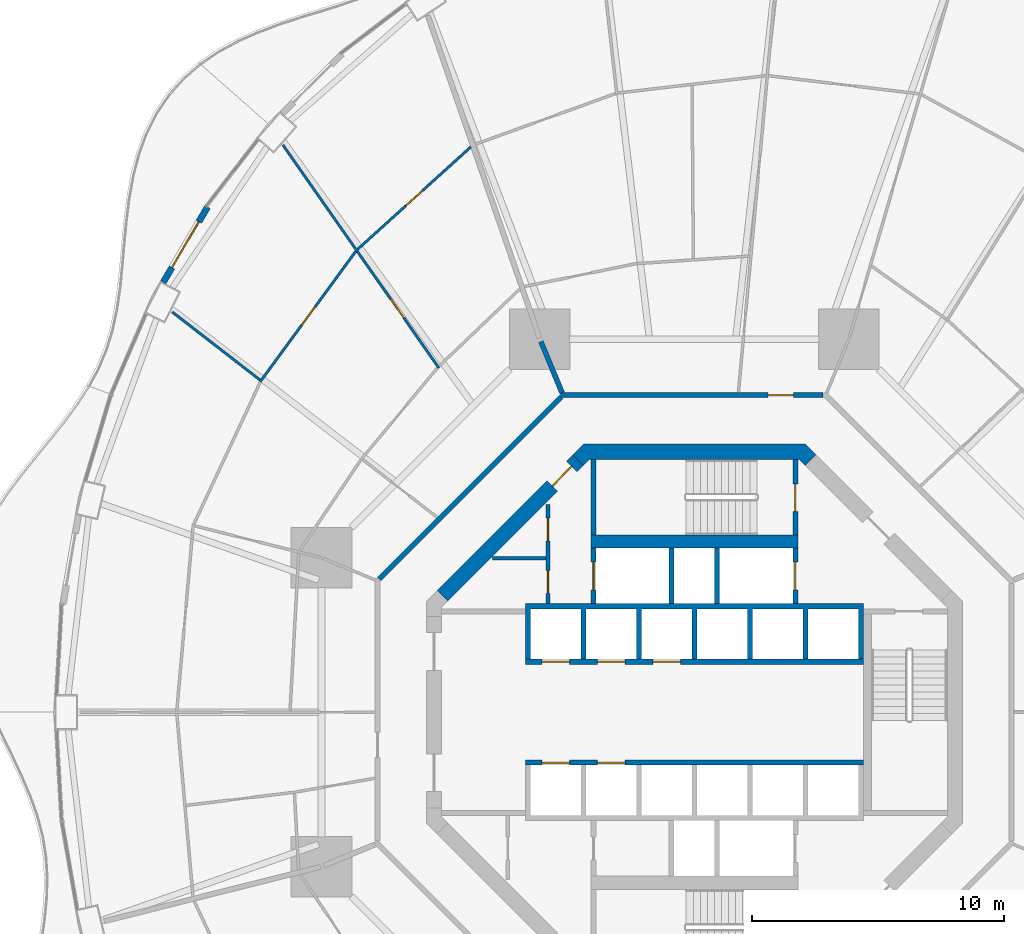
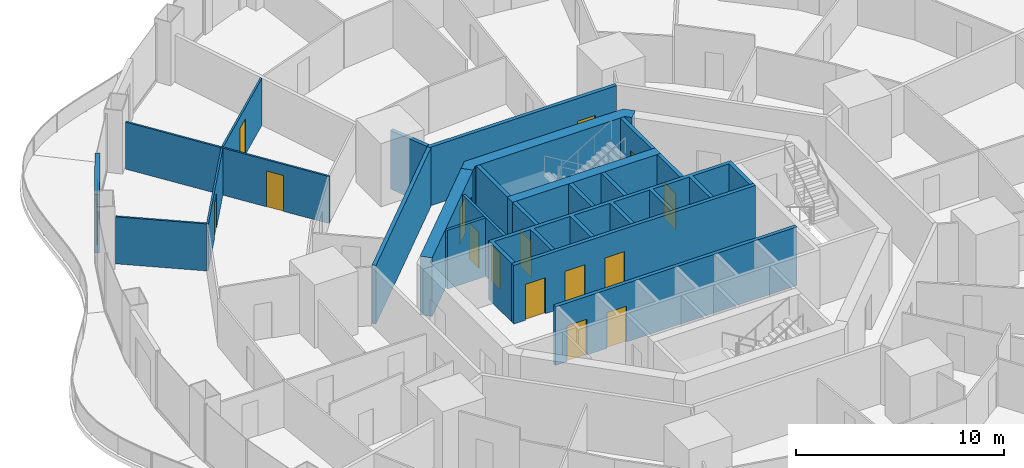
# One storey, part 16 of 21: 22 walls, 16 doors, 16 openings.
"""IFC4 building model written with IfcOpenShell, lengths in metres."""

from ifc_helpers import new_model, si_unit, direction, frame, frame_2d, origin, place, context, subcontext, project, spatial, polyline, rectangle, outline, extrude, material, layer, layer_set, type_object, element, fill, save


model = new_model("IFC4")

# Units and contexts
model_context = context("Model", 3, precision=1e-05, world=origin(), true_north=direction((0.0, 1.0)))
body_context = subcontext(model_context, "Body", "Model", "MODEL_VIEW")
ifc_project = project(units=[si_unit("LENGTHUNIT", "METRE"), si_unit("AREAUNIT", "SQUARE_METRE"), si_unit("VOLUMEUNIT", "CUBIC_METRE"), si_unit("PLANEANGLEUNIT", "RADIAN"), si_unit("MASSUNIT", "GRAM", prefix="KILO")], contexts=[model_context])

# Site, building, storey
site_placement = place(None, origin())
site = spatial("IfcSite", under=ifc_project, at=site_placement, CompositionType="ELEMENT")
building_placement = place(site_placement, origin())
building = spatial("IfcBuilding", under=site, at=building_placement, Name="Nagisa Residences", CompositionType="ELEMENT")
storey_placement = place(building_placement, frame((0.0, 0.0, 60.300048828125)))
storey = spatial("IfcBuildingStorey", under=building, at=storey_placement, Name="L14", CompositionType="ELEMENT", Elevation=60.300048828125)

# Wall
ifc_material_1 = material(Name="Gypsum board on steel studs", Category="steel")
ifc_layer_1 = layer(ifc_material_1, 0.199951171875)
ifc_layer_set_1 = layer_set([ifc_layer_1], Name="Apartment compartment wall EI60 200")
wall_type_1 = type_object("IfcWallType", Name="Apartment compartment wall EI60 200", PredefinedType="PARTITIONING", material=ifc_layer_set_1)
wall_1_placement = place(storey_placement, frame((-5.24267578125, 12.6572265625, 0.0), z_axis=(0.0, 0.0, 1.0), x_axis=(-0.382668627144, 0.923885664896, 0.0)))
element("IfcWall", 1, at=wall_1_placement, inside=storey, type_object=wall_type_1, Name="wall:L14:u02", PredefinedType="PARTITIONING", context=body_context, shape_type="SweptSolid", body=[
    extrude(rectangle(XDim=2.200439453125, YDim=0.199951171875, at=frame_2d((1.10009765625, 0.0))), origin(), (0.0, 0.0, 1.0), 3.43994140625),
])

# Wall, opening, door
ifc_material_2 = material(Name="Gypsum board on steel studs", Category="steel")
ifc_layer_2 = layer(ifc_material_2, 0.199951171875)
ifc_layer_set_2 = layer_set([ifc_layer_2], Name="Apartment entry wall EI60 200")
wall_type_2 = type_object("IfcWallType", Name="Apartment entry wall EI60 200", PredefinedType="PARTITIONING", material=ifc_layer_set_2)
wall_2_placement = place(storey_placement, frame((5.1044921875, 12.564697265625, 0.0), z_axis=(0.0, 0.0, 1.0), x_axis=(-1.0, 0.0, 0.0)))
wall_2 = element("IfcWall", 2, at=wall_2_placement, inside=storey, type_object=wall_type_2, Name="wall:L14:u08", PredefinedType="PARTITIONING", context=body_context, shape_type="SweptSolid", body=[
    extrude(rectangle(XDim=10.408935546875, YDim=0.199951171875, at=frame_2d((5.20458984375, 0.0))), origin(), (0.0, 0.0, 1.0), 3.43994140625),
])
opening_1_placement = place(wall_2_placement, frame((1.184814453125, 0.0, 0.0)))
opening_1 = element("IfcOpeningElement", 3, at=opening_1_placement, cuts=wall_2, Name="Opening L14-U27", PredefinedType="OPENING", context=body_context, shape_type="SweptSolid", body=[
    extrude(rectangle(XDim=1.0, YDim=2.10009765625, at=frame_2d((0.5, 1.050048828125))), frame((0.0, 0.10986328125, 0.0), z_axis=(0.0, -1.0, 0.0), x_axis=(1.0, 0.0, 0.0)), (0.0, 0.0, 1.0), 0.219970703125),
])
ifc_material_3 = material(Name="Timber fire door set", Category="wood")
door_type_1 = type_object("IfcDoorType", Name="Apartment entry door FD30S 1000x2100", OperationType="NOTDEFINED", PredefinedType="DOOR", material=ifc_material_3)
door_1_placement = place(opening_1_placement, frame((1.0, 0.0, 0.0), x_axis=(-1.0, 0.0, 0.0)))
door_1 = element("IfcDoor", 4, at=door_1_placement, inside=storey, type_object=door_type_1, Name="Entry door, Apartment 14B", OperationType="SINGLE_SWING_RIGHT", OverallHeight=2.10009765625, OverallWidth=1.0, PredefinedType="DOOR", context=body_context, shape_type="SweptSolid", body=[
    extrude(rectangle(XDim=1.0, YDim=2.10009765625, at=frame_2d((0.5, 1.050048828125))), frame((0.0, 0.02490234375, 0.0), z_axis=(0.0, -1.0, 0.0), x_axis=(1.0, 0.0, 0.0)), (0.0, 0.0, 1.0), 0.050048828125),
])
fill(opening_1, door_1)

# Wall
wall_3_placement = place(storey_placement, frame((-5.275146484375, 12.494140625, 0.0), z_axis=(0.0, 0.0, 1.0), x_axis=(-0.707106781187, -0.707106781187, 0.0)))
element("IfcWall", 5, at=wall_3_placement, inside=storey, type_object=wall_type_2, Name="wall:L14:u09", PredefinedType="PARTITIONING", context=body_context, shape_type="SweptSolid", body=[
    extrude(rectangle(XDim=10.209228515625, YDim=0.199951171875, at=frame_2d((5.1044921875, 0.0))), origin(), (0.0, 0.0, 1.0), 3.43994140625),
])

# Wall, opening, door
ifc_material_4 = material(Name="Gypsum board on steel studs", Category="steel")
ifc_layer_3 = layer(ifc_material_4, 0.10009765625)
ifc_layer_set_3 = layer_set([ifc_layer_3], Name="Apartment partition 100")
wall_type_3 = type_object("IfcWallType", Name="Apartment partition 100", PredefinedType="PARTITIONING", material=ifc_layer_set_3)
wall_4_placement = place(storey_placement, frame((-8.860595703125, 22.4072265625, 0.0), z_axis=(0.0, 0.0, 1.0), x_axis=(-0.741713303551, -0.670717060567, 0.0)))
wall_4 = element("IfcWall", 6, at=wall_4_placement, inside=storey, type_object=wall_type_3, Name="wall:L14:u42", PredefinedType="PARTITIONING", context=body_context, shape_type="SweptSolid", body=[
    extrude(rectangle(XDim=6.05908203125, YDim=0.10009765625, at=frame_2d((3.029541015625, 0.0))), origin(), (0.0, 0.0, 1.0), 2.755859375),
])
opening_2_placement = place(wall_4_placement, frame((2.57958984375, 0.0, 0.0)))
opening_2 = element("IfcOpeningElement", 7, at=opening_2_placement, cuts=wall_4, Name="Opening L14-U54", PredefinedType="OPENING", context=body_context, shape_type="SweptSolid", body=[
    extrude(rectangle(XDim=0.89990234375, YDim=2.10009765625, at=frame_2d((0.449951171875, 1.050048828125))), frame((0.0, 0.06005859375, 0.0), z_axis=(0.0, -1.0, 0.0), x_axis=(1.0, 0.0, 0.0)), (0.0, 0.0, 1.0), 0.1201171875),
])
ifc_material_5 = material(Name="Timber door set", Category="wood")
door_type_2 = type_object("IfcDoorType", Name="Apartment door 900x2100", OperationType="NOTDEFINED", PredefinedType="DOOR", material=ifc_material_5)
door_2_placement = place(opening_2_placement, frame((0.89990234375, 0.0, 0.0), x_axis=(-1.0, 0.0, 0.0)))
door_2 = element("IfcDoor", 8, at=door_2_placement, inside=storey, type_object=door_type_2, Name="Door to living room, Apartment 14C", OperationType="SINGLE_SWING_LEFT", OverallHeight=2.10009765625, OverallWidth=0.89990234375, PredefinedType="DOOR", context=body_context, shape_type="SweptSolid", body=[
    extrude(rectangle(XDim=0.89990234375, YDim=2.10009765625, at=frame_2d((0.449951171875, 1.050048828125))), frame((0.0, 0.02490234375, 0.0), z_axis=(0.0, -1.0, 0.0), x_axis=(1.0, 0.0, 0.0)), (0.0, 0.0, 1.0), 0.050048828125),
])
fill(opening_2, door_2)

wall_5_placement = place(storey_placement, frame((-10.126220703125, 13.640625, 0.0), z_axis=(0.0, 0.0, 1.0), x_axis=(-0.57313289907, 0.819462433552, 0.0)))
wall_5 = element("IfcWall", 9, at=wall_5_placement, inside=storey, type_object=wall_type_3, Name="wall:L14:u43", PredefinedType="PARTITIONING", context=body_context, shape_type="SweptSolid", body=[
    extrude(rectangle(XDim=10.794189453125, YDim=0.10009765625, at=frame_2d((5.39697265625, 0.0))), origin(), (0.0, 0.0, 1.0), 2.755859375),
])
opening_3_placement = place(wall_5_placement, frame((2.423828125, 0.0, 0.0)))
opening_3 = element("IfcOpeningElement", 10, at=opening_3_placement, cuts=wall_5, Name="Opening L14-U53", PredefinedType="OPENING", context=body_context, shape_type="SweptSolid", body=[
    extrude(rectangle(XDim=0.89990234375, YDim=2.10009765625, at=frame_2d((0.449951171875, 1.050048828125))), frame((0.0, 0.06005859375, 0.0), z_axis=(0.0, -1.0, 0.0), x_axis=(1.0, 0.0, 0.0)), (0.0, 0.0, 1.0), 0.1201171875),
])
door_3_placement = place(opening_3_placement, frame((0.89990234375, 0.0, 0.0), x_axis=(-1.0, 0.0, 0.0)))
door_3 = element("IfcDoor", 11, at=door_3_placement, inside=storey, type_object=door_type_2, Name="Door to kitchen, Apartment 14C", OperationType="SINGLE_SWING_RIGHT", OverallHeight=2.10009765625, OverallWidth=0.89990234375, PredefinedType="DOOR", context=body_context, shape_type="SweptSolid", body=[
    extrude(rectangle(XDim=0.89990234375, YDim=2.10009765625, at=frame_2d((0.449951171875, 1.050048828125))), frame((0.0, 0.02490234375, 0.0), z_axis=(0.0, -1.0, 0.0), x_axis=(1.0, 0.0, 0.0)), (0.0, 0.0, 1.0), 0.050048828125),
])
fill(opening_3, door_3)

wall_6_placement = place(storey_placement, frame((-13.42138671875, 18.269287109375, 0.0), z_axis=(0.0, 0.0, 1.0), x_axis=(-0.591206785834, -0.806520016109, 0.0)))
wall_6 = element("IfcWall", 12, at=wall_6_placement, inside=storey, type_object=wall_type_3, Name="wall:L14:u45", PredefinedType="PARTITIONING", context=body_context, shape_type="SweptSolid", body=[
    extrude(rectangle(XDim=6.409912109375, YDim=0.10009765625, at=frame_2d((3.205078125, 0.0))), origin(), (0.0, 0.0, 1.0), 2.755859375),
])
opening_4_placement = place(wall_6_placement, frame((2.72998046875, 0.0, 0.0)))
opening_4 = element("IfcOpeningElement", 13, at=opening_4_placement, cuts=wall_6, Name="Opening L14-U50", PredefinedType="OPENING", context=body_context, shape_type="SweptSolid", body=[
    extrude(rectangle(XDim=0.89990234375, YDim=2.10009765625, at=frame_2d((0.449951171875, 1.050048828125))), frame((0.0, 0.06005859375, 0.0), z_axis=(0.0, -1.0, 0.0), x_axis=(1.0, 0.0, 0.0)), (0.0, 0.0, 1.0), 0.1201171875),
])
door_4_placement = place(opening_4_placement, frame((0.89990234375, 0.0, 0.0), x_axis=(-1.0, 0.0, 0.0)))
door_4 = element("IfcDoor", 14, at=door_4_placement, inside=storey, type_object=door_type_2, Name="Door to master bedroom, Apartment 14C", OperationType="SINGLE_SWING_LEFT", OverallHeight=2.10009765625, OverallWidth=0.89990234375, PredefinedType="DOOR", context=body_context, shape_type="SweptSolid", body=[
    extrude(rectangle(XDim=0.89990234375, YDim=2.10009765625, at=frame_2d((0.449951171875, 1.050048828125))), frame((0.0, 0.02490234375, 0.0), z_axis=(0.0, -1.0, 0.0), x_axis=(1.0, 0.0, 0.0)), (0.0, 0.0, 1.0), 0.050048828125),
])
fill(opening_4, door_4)

# Wall
wall_7_placement = place(storey_placement, frame((-17.220947265625, 13.170654296875, 0.0), z_axis=(0.0, 0.0, 1.0), x_axis=(-0.790258254068, 0.612773932113, 0.0)))
element("IfcWall", 15, at=wall_7_placement, inside=storey, type_object=wall_type_3, Name="wall:L14:u48", PredefinedType="PARTITIONING", context=body_context, shape_type="SweptSolid", body=[
    extrude(rectangle(XDim=4.39208984375, YDim=0.10009765625, at=frame_2d((2.196044921875, 0.0))), origin(), (0.0, 0.0, 1.0), 2.755859375),
])

# Wall, opening, door
ifc_material_6 = material(Name="Precast concrete C40/50", Category="concrete")
ifc_layer_4 = layer(ifc_material_6, 0.25)
ifc_layer_set_4 = layer_set([ifc_layer_4], Name="BALCONY DOOR WALL 250")
wall_type_4 = type_object("IfcWallType", Name="BALCONY DOOR WALL 250", PredefinedType="SOLIDWALL", material=ifc_layer_set_4)
wall_8_placement = place(storey_placement, frame((-21.052490234375, 17.040283203125, 0.0), z_axis=(0.0, 0.0, 1.0), x_axis=(0.506311160839, 0.862350861546, 0.0)))
wall_8 = element("IfcWall", 16, at=wall_8_placement, inside=storey, type_object=wall_type_4, Name="wall:L14:bay19", PredefinedType="SOLIDWALL", context=body_context, shape_type="SweptSolid", body=[
    extrude(rectangle(XDim=3.462158203125, YDim=0.25, at=frame_2d((1.73095703125, 0.0))), origin(), (0.0, 0.0, 1.0), 3.43994140625),
])
opening_5_placement = place(wall_8_placement, frame((0.68115234375, 0.0, 0.0)))
opening_5 = element("IfcOpeningElement", 17, at=opening_5_placement, cuts=wall_8, Name="Opening BD-L14-07", PredefinedType="OPENING", context=body_context, shape_type="SweptSolid", body=[
    extrude(rectangle(XDim=2.10009765625, YDim=2.39990234375, at=frame_2d((1.050048828125, 1.199951171875))), frame((0.0, 0.135009765625, 0.0), z_axis=(0.0, -1.0, 0.0), x_axis=(1.0, 0.0, 0.0)), (0.0, 0.0, 1.0), 0.27001953125),
])
ifc_material_7 = material(Name="Aluminium and clear glass", Category="aluminium")
door_type_3 = type_object("IfcDoorType", Name="BALCONY SLIDING DOOR 2100x2400", OperationType="SLIDING_TO_LEFT", PredefinedType="DOOR", material=ifc_material_7)
door_5_placement = place(opening_5_placement, origin())
door_5 = element("IfcDoor", 18, at=door_5_placement, inside=storey, type_object=door_type_3, Name="door:L14:bay19", OperationType="SLIDING_TO_LEFT", OverallHeight=2.39990234375, OverallWidth=2.10009765625, PredefinedType="DOOR", context=body_context, shape_type="SweptSolid", body=[
    extrude(rectangle(XDim=2.10009765625, YDim=2.39990234375, at=frame_2d((1.050048828125, 1.199951171875))), frame((0.0, 0.02490234375, 0.0), z_axis=(0.0, -1.0, 0.0), x_axis=(1.0, 0.0, 0.0)), (0.0, 0.0, 1.0), 0.050048828125),
])
fill(opening_5, door_5)

# Wall, openings, doors
ifc_material_8 = material(Name="Gypsum board on steel studs", Category="steel")
ifc_layer_5 = layer(ifc_material_8, 0.14990234375)
ifc_layer_set_5 = layer_set([ifc_layer_5], Name="Core partition 150")
wall_type_5 = type_object("IfcWallType", Name="Core partition 150", PredefinedType="PARTITIONING", material=ifc_layer_set_5)
wall_9_placement = place(storey_placement, frame((-5.800048828125, 4.300048828125, 0.0), z_axis=(0.0, 0.0, 1.0), x_axis=(0.0, 1.0, 0.0)))
wall_9 = element("IfcWall", 19, at=wall_9_placement, inside=storey, type_object=wall_type_5, Name="wall:L14:NWp", PredefinedType="PARTITIONING", context=body_context, shape_type="SweptSolid", body=[
    extrude(rectangle(XDim=3.927001953125, YDim=0.14990234375, at=frame_2d((1.96337890625, 0.0))), origin(), (0.0, 0.0, 1.0), 3.43994140625),
])
opening_6_placement = place(wall_9_placement, frame((0.41259765625, 0.0, 0.0)))
opening_6 = element("IfcOpeningElement", 20, at=opening_6_placement, cuts=wall_9, Name="Opening L14-C12", PredefinedType="OPENING", context=body_context, shape_type="SweptSolid", body=[
    extrude(rectangle(XDim=0.89990234375, YDim=2.10009765625, at=frame_2d((0.449951171875, 1.050048828125))), frame((0.0, 0.0849609375, 0.0), z_axis=(0.0, -1.0, 0.0), x_axis=(1.0, 0.0, 0.0)), (0.0, 0.0, 1.0), 0.169921875),
])
opening_7_placement = place(wall_9_placement, frame((2.488525390625, 0.0, 0.0)))
opening_7 = element("IfcOpeningElement", 21, at=opening_7_placement, cuts=wall_9, Name="Opening L14-C13", PredefinedType="OPENING", context=body_context, shape_type="SweptSolid", body=[
    extrude(rectangle(XDim=0.89990234375, YDim=2.10009765625, at=frame_2d((0.449951171875, 1.050048828125))), frame((0.0, 0.0849609375, 0.0), z_axis=(0.0, -1.0, 0.0), x_axis=(1.0, 0.0, 0.0)), (0.0, 0.0, 1.0), 0.169921875),
])
ifc_material_9 = material(Name="Steel fire door", Category="steel")
door_type_4 = type_object("IfcDoorType", Name="Fire door EI30 900x2100 single swing", OperationType="NOTDEFINED", PredefinedType="DOOR", material=ifc_material_9)
door_6_placement = place(opening_6_placement, origin())
door_6 = element("IfcDoor", 22, at=door_6_placement, inside=storey, type_object=door_type_4, Name="Staff WC door L14", OperationType="SINGLE_SWING_RIGHT", OverallHeight=2.10009765625, OverallWidth=0.89990234375, PredefinedType="DOOR", context=body_context, shape_type="SweptSolid", body=[
    extrude(rectangle(XDim=0.89990234375, YDim=2.10009765625, at=frame_2d((0.449951171875, 1.050048828125))), frame((0.0, 0.02490234375, 0.0), z_axis=(0.0, -1.0, 0.0), x_axis=(1.0, 0.0, 0.0)), (0.0, 0.0, 1.0), 0.050048828125),
])
fill(opening_6, door_6)
door_7_placement = place(opening_7_placement, origin())
door_7 = element("IfcDoor", 23, at=door_7_placement, inside=storey, type_object=door_type_4, Name="Janitor door L14", OperationType="SINGLE_SWING_RIGHT", OverallHeight=2.10009765625, OverallWidth=0.89990234375, PredefinedType="DOOR", context=body_context, shape_type="SweptSolid", body=[
    extrude(rectangle(XDim=0.89990234375, YDim=2.10009765625, at=frame_2d((0.449951171875, 1.050048828125))), frame((0.0, 0.02490234375, 0.0), z_axis=(0.0, -1.0, 0.0), x_axis=(1.0, 0.0, 0.0)), (0.0, 0.0, 1.0), 0.050048828125),
])
fill(opening_7, door_7)

# Wall
wall_10_placement = place(storey_placement, frame((-8.0009765625, 6.10009765625, 0.0), z_axis=(0.0, 0.0, 1.0), x_axis=(1.0, 0.0, 0.0)))
element("IfcWall", 24, at=wall_10_placement, inside=storey, type_object=wall_type_5, Name="wall:L14:NWq", PredefinedType="PARTITIONING", context=body_context, shape_type="SweptSolid", body=[
    extrude(rectangle(XDim=2.1259765625, YDim=0.14990234375, at=frame_2d((1.06298828125, 0.0))), origin(), (0.0, 0.0, 1.0), 3.43994140625),
])

# Wall, opening, door
ifc_material_10 = material(Name="Concrete C60", Category="concrete")
ifc_layer_6 = layer(ifc_material_10, 0.60009765625)
ifc_layer_set_6 = layer_set([ifc_layer_6], Name="Core shear wall 600")
wall_type_6 = type_object("IfcWallType", Name="Core shear wall 600", PredefinedType="SHEAR", material=ifc_layer_set_6)
wall_11_placement = place(storey_placement, frame((-4.613037109375, 9.98828125, 0.0), z_axis=(0.0, 0.0, 1.0), x_axis=(-0.707106781187, -0.707106781187, 0.0)))
wall_11 = element("IfcWall", 25, at=wall_11_placement, inside=storey, type_object=wall_type_6, Name="wall:L14:core:flat3", PredefinedType="SHEAR", context=body_context, shape_type="SweptSolid", body=[
    extrude(rectangle(XDim=7.601806640625, YDim=0.60009765625, at=frame_2d((3.80078125, 0.0))), origin(), (0.0, 0.0, 1.0), 3.43994140625),
])
opening_8_placement = place(wall_11_placement, frame((0.350830078125, 0.0, 0.0)))
opening_8 = element("IfcOpeningElement", 26, at=opening_8_placement, cuts=wall_11, Name="Opening L14-C20", PredefinedType="OPENING", context=body_context, shape_type="SweptSolid", body=[
    extrude(rectangle(XDim=1.10009765625, YDim=2.10009765625, at=frame_2d((0.550048828125, 1.050048828125))), frame((0.0, 0.31005859375, 0.0), z_axis=(0.0, -1.0, 0.0), x_axis=(1.0, 0.0, 0.0)), (0.0, 0.0, 1.0), 0.6201171875),
])
ifc_material_11 = material(Name="Steel fire door", Category="steel")
door_type_5 = type_object("IfcDoorType", Name="Fire door EI60 1100x2100 single swing", OperationType="NOTDEFINED", PredefinedType="DOOR", material=ifc_material_11)
door_8_placement = place(opening_8_placement, origin())
door_8 = element("IfcDoor", 27, at=door_8_placement, inside=storey, type_object=door_type_5, Name="Service lobby door L14", OperationType="SINGLE_SWING_RIGHT", OverallHeight=2.10009765625, OverallWidth=1.10009765625, PredefinedType="DOOR", context=body_context, shape_type="SweptSolid", body=[
    extrude(rectangle(XDim=1.10009765625, YDim=2.10009765625, at=frame_2d((0.550048828125, 1.050048828125))), frame((0.0, 0.02490234375, 0.0), z_axis=(0.0, -1.0, 0.0), x_axis=(1.0, 0.0, 0.0)), (0.0, 0.0, 1.0), 0.050048828125),
])
fill(opening_8, door_8)

# Wall
wall_12_placement = place(storey_placement, origin())
element("IfcWall", 28, at=wall_12_placement, inside=storey, type_object=wall_type_6, Name="wall:L14:core:flat2", PredefinedType="SHEAR", context=body_context, shape_type="SweptSolid", body=[
    extrude(outline(polyline([(-4.15234375, 10.024658203125), (-4.40087890625, 9.776123046875), (-4.8251953125, 10.200439453125), (-4.40087890625, 10.62451171875), (4.40087890625, 10.62451171875), (4.8251953125, 10.200439453125), (4.40087890625, 9.776123046875), (4.15234375, 10.024658203125), (-4.15234375, 10.024658203125)])), origin(), (0.0, 0.0, 1.0), 3.43994140625),
])

# Wall, opening, door
ifc_material_12 = material(Name="Concrete C60", Category="concrete")
ifc_layer_7 = layer(ifc_material_12, 0.199951171875)
ifc_layer_set_7 = layer_set([ifc_layer_7], Name="Lift shaft wall 200")
wall_type_7 = type_object("IfcWallType", Name="Lift shaft wall 200", PredefinedType="SOLIDWALL", material=ifc_layer_set_7)
wall_13_placement = place(storey_placement, frame((4.0, 4.300048828125, 0.0), z_axis=(0.0, 0.0, 1.0), x_axis=(0.0, 1.0, 0.0)))
wall_13 = element("IfcWall", 29, at=wall_13_placement, inside=storey, type_object=wall_type_7, Name="wall:L14:Nb3", PredefinedType="SOLIDWALL", context=body_context, shape_type="SweptSolid", body=[
    extrude(rectangle(XDim=2.199951171875, YDim=0.199951171875, at=frame_2d((1.10009765625, 0.0))), origin(), (0.0, 0.0, 1.0), 3.43994140625),
])
opening_9_placement = place(wall_13_placement, frame((0.550048828125, 0.0, 0.0)))
opening_9 = element("IfcOpeningElement", 30, at=opening_9_placement, cuts=wall_13, Name="Opening L14-C06", PredefinedType="OPENING", context=body_context, shape_type="SweptSolid", body=[
    extrude(rectangle(XDim=1.10009765625, YDim=2.10009765625, at=frame_2d((0.550048828125, 1.050048828125))), frame((0.0, 0.10986328125, 0.0), z_axis=(0.0, -1.0, 0.0), x_axis=(1.0, 0.0, 0.0)), (0.0, 0.0, 1.0), 0.219970703125),
])
ifc_material_13 = material(Name="Stainless steel", Category="steel")
door_type_6 = type_object("IfcDoorType", Name="Lift landing door 1100x2100", OperationType="DOUBLE_DOOR_SLIDING", PredefinedType="DOOR", material=ifc_material_13)
door_9_placement = place(opening_9_placement, origin())
door_9 = element("IfcDoor", 31, at=door_9_placement, inside=storey, type_object=door_type_6, Name="Landing door FL1 L14", OperationType="DOUBLE_DOOR_SLIDING", OverallHeight=2.10009765625, OverallWidth=1.10009765625, PredefinedType="DOOR", context=body_context, shape_type="SweptSolid", body=[
    extrude(rectangle(XDim=1.10009765625, YDim=2.10009765625, at=frame_2d((0.550048828125, 1.050048828125))), frame((0.0, 0.02490234375, 0.0), z_axis=(0.0, -1.0, 0.0), x_axis=(1.0, 0.0, 0.0)), (0.0, 0.0, 1.0), 0.050048828125),
])
fill(opening_9, door_9)

wall_14_placement = place(storey_placement, frame((-4.0, 4.300048828125, 0.0), z_axis=(0.0, 0.0, 1.0), x_axis=(0.0, 1.0, 0.0)))
wall_14 = element("IfcWall", 32, at=wall_14_placement, inside=storey, type_object=wall_type_7, Name="wall:L14:Nb4", PredefinedType="SOLIDWALL", context=body_context, shape_type="SweptSolid", body=[
    extrude(rectangle(XDim=2.199951171875, YDim=0.199951171875, at=frame_2d((1.10009765625, 0.0))), origin(), (0.0, 0.0, 1.0), 3.43994140625),
])
opening_10_placement = place(wall_14_placement, frame((0.550048828125, 0.0, 0.0)))
opening_10 = element("IfcOpeningElement", 33, at=opening_10_placement, cuts=wall_14, Name="Opening L14-C08", PredefinedType="OPENING", context=body_context, shape_type="SweptSolid", body=[
    extrude(rectangle(XDim=1.10009765625, YDim=2.10009765625, at=frame_2d((0.550048828125, 1.050048828125))), frame((0.0, 0.10986328125, 0.0), z_axis=(0.0, -1.0, 0.0), x_axis=(1.0, 0.0, 0.0)), (0.0, 0.0, 1.0), 0.219970703125),
])
door_10_placement = place(opening_10_placement, origin())
door_10 = element("IfcDoor", 34, at=door_10_placement, inside=storey, type_object=door_type_6, Name="Landing door SV L14", OperationType="DOUBLE_DOOR_SLIDING", OverallHeight=2.10009765625, OverallWidth=1.10009765625, PredefinedType="DOOR", context=body_context, shape_type="SweptSolid", body=[
    extrude(rectangle(XDim=1.10009765625, YDim=2.10009765625, at=frame_2d((0.550048828125, 1.050048828125))), frame((0.0, 0.02490234375, 0.0), z_axis=(0.0, -1.0, 0.0), x_axis=(1.0, 0.0, 0.0)), (0.0, 0.0, 1.0), 0.050048828125),
])
fill(opening_10, door_10)

# Wall, openings, doors
wall_15_placement = place(storey_placement, frame((-6.699951171875, 2.0, 0.0), z_axis=(0.0, 0.0, 1.0), x_axis=(1.0, 0.0, 0.0)))
wall_15 = element("IfcWall", 35, at=wall_15_placement, inside=storey, type_object=wall_type_7, Name="wall:L14:Nfront", PredefinedType="SOLIDWALL", context=body_context, shape_type="SweptSolid", body=[
    extrude(rectangle(XDim=13.39990234375, YDim=0.199951171875, at=frame_2d((6.699951171875, 0.0))), origin(), (0.0, 0.0, 1.0), 3.43994140625),
])
opening_11_placement = place(wall_15_placement, frame((0.64990234375, 0.0, 0.0)))
opening_11 = element("IfcOpeningElement", 36, at=opening_11_placement, cuts=wall_15, Name="Opening L14-C01", PredefinedType="OPENING", context=body_context, shape_type="SweptSolid", body=[
    extrude(rectangle(XDim=1.10009765625, YDim=2.10009765625, at=frame_2d((0.550048828125, 1.050048828125))), frame((0.0, 0.10986328125, 0.0), z_axis=(0.0, -1.0, 0.0), x_axis=(1.0, 0.0, 0.0)), (0.0, 0.0, 1.0), 0.219970703125),
])
opening_12_placement = place(wall_15_placement, frame((2.85009765625, 0.0, 0.0)))
opening_12 = element("IfcOpeningElement", 37, at=opening_12_placement, cuts=wall_15, Name="Opening L14-C02", PredefinedType="OPENING", context=body_context, shape_type="SweptSolid", body=[
    extrude(rectangle(XDim=1.10009765625, YDim=2.10009765625, at=frame_2d((0.550048828125, 1.050048828125))), frame((0.0, 0.10986328125, 0.0), z_axis=(0.0, -1.0, 0.0), x_axis=(1.0, 0.0, 0.0)), (0.0, 0.0, 1.0), 0.219970703125),
])
opening_13_placement = place(wall_15_placement, frame((5.050048828125, 0.0, 0.0)))
opening_13 = element("IfcOpeningElement", 38, at=opening_13_placement, cuts=wall_15, Name="Opening L14-C03", PredefinedType="OPENING", context=body_context, shape_type="SweptSolid", body=[
    extrude(rectangle(XDim=1.10009765625, YDim=2.10009765625, at=frame_2d((0.550048828125, 1.050048828125))), frame((0.0, 0.10986328125, 0.0), z_axis=(0.0, -1.0, 0.0), x_axis=(1.0, 0.0, 0.0)), (0.0, 0.0, 1.0), 0.219970703125),
])
door_11_placement = place(opening_11_placement, origin())
door_11 = element("IfcDoor", 39, at=door_11_placement, inside=storey, type_object=door_type_6, Name="Landing door A1 L14", OperationType="DOUBLE_DOOR_SLIDING", OverallHeight=2.10009765625, OverallWidth=1.10009765625, PredefinedType="DOOR", context=body_context, shape_type="SweptSolid", body=[
    extrude(rectangle(XDim=1.10009765625, YDim=2.10009765625, at=frame_2d((0.550048828125, 1.050048828125))), frame((0.0, 0.02490234375, 0.0), z_axis=(0.0, -1.0, 0.0), x_axis=(1.0, 0.0, 0.0)), (0.0, 0.0, 1.0), 0.050048828125),
])
fill(opening_11, door_11)
door_12_placement = place(opening_12_placement, origin())
door_12 = element("IfcDoor", 40, at=door_12_placement, inside=storey, type_object=door_type_6, Name="Landing door A2 L14", OperationType="DOUBLE_DOOR_SLIDING", OverallHeight=2.10009765625, OverallWidth=1.10009765625, PredefinedType="DOOR", context=body_context, shape_type="SweptSolid", body=[
    extrude(rectangle(XDim=1.10009765625, YDim=2.10009765625, at=frame_2d((0.550048828125, 1.050048828125))), frame((0.0, 0.02490234375, 0.0), z_axis=(0.0, -1.0, 0.0), x_axis=(1.0, 0.0, 0.0)), (0.0, 0.0, 1.0), 0.050048828125),
])
fill(opening_12, door_12)
door_13_placement = place(opening_13_placement, origin())
door_13 = element("IfcDoor", 41, at=door_13_placement, inside=storey, type_object=door_type_6, Name="Landing door A3 L14", OperationType="DOUBLE_DOOR_SLIDING", OverallHeight=2.10009765625, OverallWidth=1.10009765625, PredefinedType="DOOR", context=body_context, shape_type="SweptSolid", body=[
    extrude(rectangle(XDim=1.10009765625, YDim=2.10009765625, at=frame_2d((0.550048828125, 1.050048828125))), frame((0.0, 0.02490234375, 0.0), z_axis=(0.0, -1.0, 0.0), x_axis=(1.0, 0.0, 0.0)), (0.0, 0.0, 1.0), 0.050048828125),
])
fill(opening_13, door_13)

wall_16_placement = place(storey_placement, frame((-6.699951171875, -2.0, 0.0), z_axis=(0.0, 0.0, 1.0), x_axis=(1.0, 0.0, 0.0)))
wall_16 = element("IfcWall", 42, at=wall_16_placement, inside=storey, type_object=wall_type_7, Name="wall:L14:Sfront", PredefinedType="SOLIDWALL", context=body_context, shape_type="SweptSolid", body=[
    extrude(rectangle(XDim=13.39990234375, YDim=0.199951171875, at=frame_2d((6.699951171875, 0.0))), origin(), (0.0, 0.0, 1.0), 3.43994140625),
])
opening_14_placement = place(wall_16_placement, frame((0.64990234375, 0.0, 0.0)))
opening_14 = element("IfcOpeningElement", 43, at=opening_14_placement, cuts=wall_16, Name="Opening L14-C04", PredefinedType="OPENING", context=body_context, shape_type="SweptSolid", body=[
    extrude(rectangle(XDim=1.10009765625, YDim=2.10009765625, at=frame_2d((0.550048828125, 1.050048828125))), frame((0.0, 0.10986328125, 0.0), z_axis=(0.0, -1.0, 0.0), x_axis=(1.0, 0.0, 0.0)), (0.0, 0.0, 1.0), 0.219970703125),
])
opening_15_placement = place(wall_16_placement, frame((2.85009765625, 0.0, 0.0)))
opening_15 = element("IfcOpeningElement", 44, at=opening_15_placement, cuts=wall_16, Name="Opening L14-C05", PredefinedType="OPENING", context=body_context, shape_type="SweptSolid", body=[
    extrude(rectangle(XDim=1.10009765625, YDim=2.10009765625, at=frame_2d((0.550048828125, 1.050048828125))), frame((0.0, 0.10986328125, 0.0), z_axis=(0.0, -1.0, 0.0), x_axis=(1.0, 0.0, 0.0)), (0.0, 0.0, 1.0), 0.219970703125),
])
door_14_placement = place(opening_14_placement, origin())
door_14 = element("IfcDoor", 45, at=door_14_placement, inside=storey, type_object=door_type_6, Name="Landing door A4 L14", OperationType="DOUBLE_DOOR_SLIDING", OverallHeight=2.10009765625, OverallWidth=1.10009765625, PredefinedType="DOOR", context=body_context, shape_type="SweptSolid", body=[
    extrude(rectangle(XDim=1.10009765625, YDim=2.10009765625, at=frame_2d((0.550048828125, 1.050048828125))), frame((0.0, 0.02490234375, 0.0), z_axis=(0.0, -1.0, 0.0), x_axis=(1.0, 0.0, 0.0)), (0.0, 0.0, 1.0), 0.050048828125),
])
fill(opening_14, door_14)
door_15_placement = place(opening_15_placement, origin())
door_15 = element("IfcDoor", 46, at=door_15_placement, inside=storey, type_object=door_type_6, Name="Landing door A5 L14", OperationType="DOUBLE_DOOR_SLIDING", OverallHeight=2.10009765625, OverallWidth=1.10009765625, PredefinedType="DOOR", context=body_context, shape_type="SweptSolid", body=[
    extrude(rectangle(XDim=1.10009765625, YDim=2.10009765625, at=frame_2d((0.550048828125, 1.050048828125))), frame((0.0, 0.02490234375, 0.0), z_axis=(0.0, -1.0, 0.0), x_axis=(1.0, 0.0, 0.0)), (0.0, 0.0, 1.0), 0.050048828125),
])
fill(opening_15, door_15)

# Walls
for number, where, z_axis, x_axis, name in (
    (47, (-0.89990234375, 4.300048828125, 0.0), (0.0, 0.0, 1.0), (0.0, 1.0, 0.0), "wall:L14:Nb1"),
    (48, (0.89990234375, 4.300048828125, 0.0), (0.0, 0.0, 1.0), (0.0, 1.0, 0.0), "wall:L14:Nb2"),
):
    element("IfcWall", number, at=place(storey_placement, frame(where, z_axis=z_axis, x_axis=x_axis)), inside=storey, type_object=wall_type_7, Name=name, PredefinedType="SOLIDWALL", context=body_context, shape_type="SweptSolid", body=[
        extrude(rectangle(XDim=2.199951171875, YDim=0.199951171875, at=frame_2d((1.10009765625, 0.0))), origin(), (0.0, 0.0, 1.0), 3.43994140625),
    ])
wall_17_placement = place(storey_placement, origin())
element("IfcWall", 49, at=wall_17_placement, inside=storey, type_object=wall_type_7, Name="wall:L14:Nback", PredefinedType="SOLIDWALL", context=body_context, shape_type="SweptSolid", body=[
    extrude(outline(polyline([(-6.5, 2.10009765625), (-6.699951171875, 2.10009765625), (-6.699951171875, 4.300048828125), (6.699951171875, 4.300048828125), (6.699951171875, 2.10009765625), (6.5, 2.10009765625), (6.5, 4.10009765625), (4.5, 4.10009765625), (4.5, 2.10009765625), (4.300048828125, 2.10009765625), (4.300048828125, 4.10009765625), (2.300048828125, 4.10009765625), (2.300048828125, 2.10009765625), (2.10009765625, 2.10009765625), (2.10009765625, 4.10009765625), (0.10009765625, 4.10009765625), (0.10009765625, 2.10009765625), (-0.10009765625, 2.10009765625), (-0.10009765625, 4.10009765625), (-2.10009765625, 4.10009765625), (-2.10009765625, 2.10009765625), (-2.300048828125, 2.10009765625), (-2.300048828125, 4.10009765625), (-4.300048828125, 4.10009765625), (-4.300048828125, 2.10009765625), (-4.5, 2.10009765625), (-4.5, 4.10009765625), (-6.5, 4.10009765625), (-6.5, 2.10009765625)])), origin(), (0.0, 0.0, 1.0), 3.43994140625),
])

# Wall, opening, door
ifc_material_14 = material(Name="Concrete C60", Category="concrete")
ifc_layer_8 = layer(ifc_material_14, 0.199951171875)
ifc_layer_set_8 = layer_set([ifc_layer_8], Name="Stair enclosure wall 200")
wall_type_8 = type_object("IfcWallType", Name="Stair enclosure wall 200", PredefinedType="SOLIDWALL", material=ifc_layer_set_8)
wall_18_placement = place(storey_placement, frame((4.0, 7.024658203125, 0.0), z_axis=(0.0, 0.0, 1.0), x_axis=(0.0, 1.0, 0.0)))
wall_18 = element("IfcWall", 50, at=wall_18_placement, inside=storey, type_object=wall_type_8, Name="wall:L14:SN_e", PredefinedType="SOLIDWALL", context=body_context, shape_type="SweptSolid", body=[
    extrude(rectangle(XDim=3.0, YDim=0.199951171875, at=frame_2d((1.5, 0.0))), origin(), (0.0, 0.0, 1.0), 3.43994140625),
])
opening_16_placement = place(wall_18_placement, frame((0.92529296875, 0.0, 0.0)))
opening_16 = element("IfcOpeningElement", 51, at=opening_16_placement, cuts=wall_18, Name="Opening L14-C10", PredefinedType="OPENING", context=body_context, shape_type="SweptSolid", body=[
    extrude(rectangle(XDim=1.10009765625, YDim=2.10009765625, at=frame_2d((0.550048828125, 1.050048828125))), frame((0.0, 0.10986328125, 0.0), z_axis=(0.0, -1.0, 0.0), x_axis=(1.0, 0.0, 0.0)), (0.0, 0.0, 1.0), 0.219970703125),
])
ifc_material_15 = material(Name="Steel fire door", Category="steel")
door_type_7 = type_object("IfcDoorType", Name="Fire door EI90 1100x2100 single swing", OperationType="NOTDEFINED", PredefinedType="DOOR", material=ifc_material_15)
door_16_placement = place(opening_16_placement, origin())
door_16 = element("IfcDoor", 52, at=door_16_placement, inside=storey, type_object=door_type_7, Name="Stair door ST-N L14", OperationType="SINGLE_SWING_LEFT", OverallHeight=2.10009765625, OverallWidth=1.10009765625, PredefinedType="DOOR", context=body_context, shape_type="SweptSolid", body=[
    extrude(rectangle(XDim=1.10009765625, YDim=2.10009765625, at=frame_2d((0.550048828125, 1.050048828125))), frame((0.0, 0.02490234375, 0.0), z_axis=(0.0, -1.0, 0.0), x_axis=(1.0, 0.0, 0.0)), (0.0, 0.0, 1.0), 0.050048828125),
])
fill(opening_16, door_16)

# Walls
wall_19_placement = place(storey_placement, origin())
element("IfcWall", 53, at=wall_19_placement, inside=storey, type_object=wall_type_8, Name="wall:L14:SN_w", PredefinedType="SOLIDWALL", context=body_context, shape_type="SweptSolid", body=[
    extrude(outline(polyline([(-3.89990234375, 7.024658203125), (-4.10009765625, 7.024658203125), (-4.10009765625, 10.024658203125), (-3.89990234375, 10.024658203125), (-3.89990234375, 7.024658203125)])), origin(), (0.0, 0.0, 1.0), 3.43994140625),
])
wall_20_placement = place(storey_placement, origin())
element("IfcWall", 54, at=wall_20_placement, inside=storey, type_object=wall_type_8, Name="wall:L14:SN_s", PredefinedType="SOLIDWALL", context=body_context, shape_type="SweptSolid", body=[
    extrude(outline(polyline([(4.10009765625, 6.5), (-4.10009765625, 6.5), (-4.10009765625, 7.024658203125), (4.10009765625, 7.024658203125), (4.10009765625, 6.5)])), origin(), (0.0, 0.0, 1.0), 3.43994140625),
])

save(model, "model.ifc")
